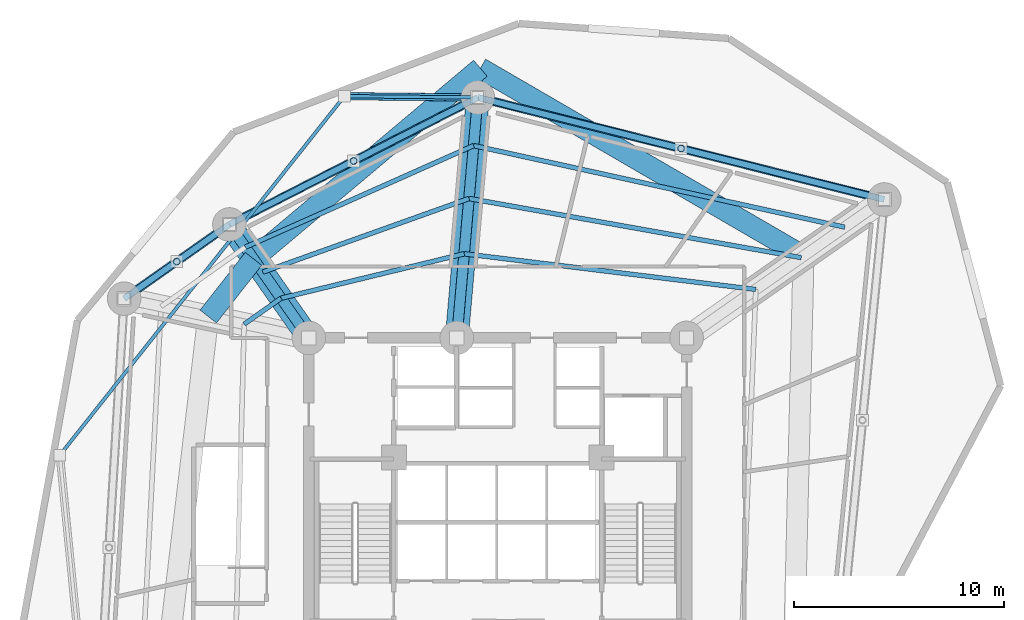
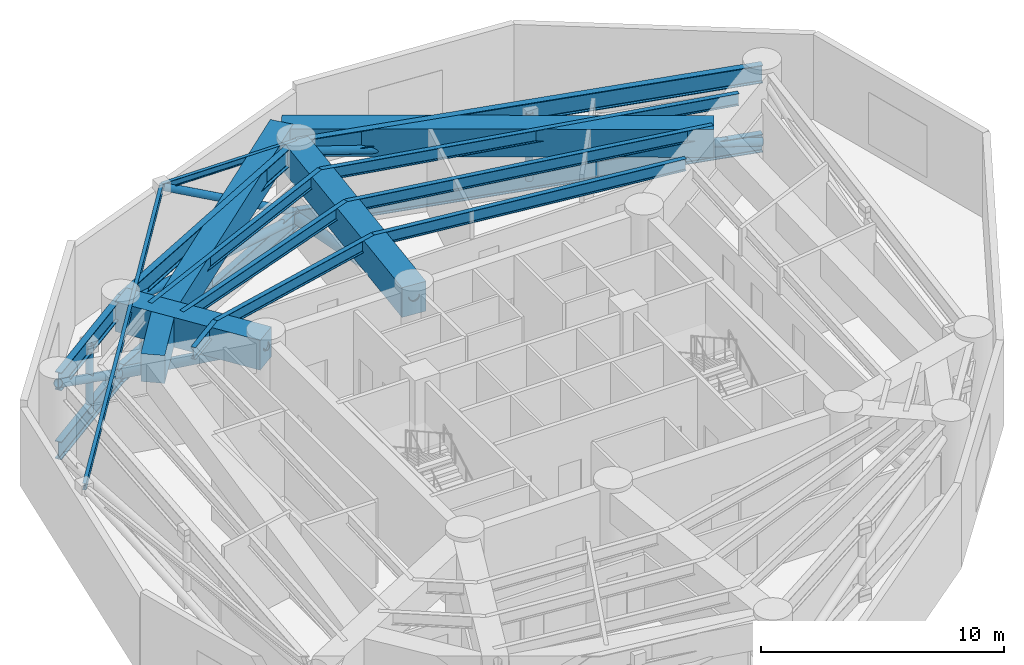
# One storey, part 5 of 13: 17 beams, 12 members.
"""IFC4 building model written with IfcOpenShell, lengths in metres."""

from ifc_helpers import new_model, si_unit, direction, frame, origin, origin_with_axes, origin_2d, place, context, subcontext, project, spatial, rectangle, hollow_circle, i_section, extrude, source, transform, mapped, material, material_profile, profile_set, type_object, element, save


model = new_model("IFC4")

# Units and contexts
model_context = context("Model", 3, precision=1e-05, world=origin(), true_north=direction((0.0, 1.0)))
body_context = subcontext(model_context, "Body", "Model", "MODEL_VIEW")
ifc_project = project(units=[si_unit("LENGTHUNIT", "METRE"), si_unit("AREAUNIT", "SQUARE_METRE"), si_unit("VOLUMEUNIT", "CUBIC_METRE"), si_unit("PLANEANGLEUNIT", "RADIAN"), si_unit("MASSUNIT", "GRAM", prefix="KILO")], contexts=[model_context])

# Site, building, storey
site_placement = place(None, origin())
site = spatial("IfcSite", under=ifc_project, at=site_placement, CompositionType="ELEMENT")
building_placement = place(site_placement, origin())
building = spatial("IfcBuilding", under=site, at=building_placement, Name="Karkom Vertical University and Central Library", CompositionType="ELEMENT")
storey_placement = place(building_placement, frame((0.0, 0.0, 87.699951171875)))
storey = spatial("IfcBuildingStorey", under=building, at=storey_placement, Name="P23", CompositionType="ELEMENT", Elevation=87.699951171875)

# Beams
ifc_material_1 = material(Name="Concrete C50/60", Category="concrete")
ifc_material_profile_1 = material_profile(ifc_material_1, rectangle(XDim=1.10009765625, YDim=1.5, at=origin_2d()), Name="TG-1100x1500")
ifc_profile_set_1 = profile_set([ifc_material_profile_1], Name="Concrete C50/60")
beam_type_1 = type_object("IfcBeamType", Name="STR-BM-TG-1", PredefinedType="USERDEFINED", material=ifc_profile_set_1)
shared_shape_1 = source(origin_with_axes(), body_context, "Body", "SweptSolid", [
    extrude(rectangle(XDim=1.10009765625, YDim=1.5, at=origin_2d()), origin(), (0.0, 0.0, 1.0), 11.499755859375),
])
beam_1_placement = place(storey_placement, frame((26.550048828125, 34.699951171875, 3.525146484375), z_axis=(0.087127973109, 0.99619712723, 0.0), x_axis=(-0.99619712723, 0.087127973109, 0.0)))
element("IfcBeam", 1, at=beam_1_placement, inside=storey, type_object=beam_type_1, Name="Plant Level 23 Radial Frame Girder 03", ObjectType="GIRDER", PredefinedType="USERDEFINED", context=body_context, shape_type="MappedRepresentation", body=[
    mapped(shared_shape_1, transform((0.0, 0.0, 0.0), scale=1.0)),
])
shared_shape_2 = source(origin_with_axes(), body_context, "Body", "SweptSolid", [
    extrude(rectangle(XDim=1.10009765625, YDim=1.5, at=origin_2d()), origin(), (0.0, 0.0, 1.0), 6.599853515625),
])
beam_2_placement = place(storey_placement, frame((19.5, 34.699951171875, 3.525146484375), z_axis=(-0.573633636671, 0.819111989218, 0.0), x_axis=(-0.819111989218, -0.573633636671, 0.0)))
element("IfcBeam", 2, at=beam_2_placement, inside=storey, type_object=beam_type_1, Name="Plant Level 23 Radial Frame Girder 04", ObjectType="GIRDER", PredefinedType="USERDEFINED", context=body_context, shape_type="MappedRepresentation", body=[
    mapped(shared_shape_2, transform((0.0, 0.0, 0.0), scale=1.0)),
])
ifc_material_2 = material(Name="Steel S355", Category="steel")
ifc_material_profile_2 = material_profile(ifc_material_2, i_section(OverallWidth=0.219970703125, OverallDepth=0.60009765625, WebThickness=0.011962890625, FlangeThickness=0.01904296875, FilletRadius=0.02392578125, at=origin_2d()), Name="IPE 600")
ifc_profile_set_2 = profile_set([ifc_material_profile_2], Name="Steel S355")
beam_type_2 = type_object("IfcBeamType", Name="STR-BM-SB-IPE600", PredefinedType="BEAM", material=ifc_profile_set_2)
shared_shape_3 = source(origin_with_axes(), body_context, "Body", "SweptSolid", [
    extrude(i_section(OverallWidth=0.219970703125, OverallDepth=0.60009765625, WebThickness=0.011962890625, FlangeThickness=0.01904296875, FilletRadius=0.02392578125, at=origin_2d()), origin(), (0.0, 0.0, 1.0), 14.000244140625),
])
beam_3_placement = place(storey_placement, frame((40.797119140625, 37.008544921875, 3.97509765625), z_axis=(-0.992590166403, 0.121510335198, 0.0), x_axis=(-0.121510335198, -0.992590166403, 0.0)))
element("IfcBeam", 3, at=beam_3_placement, inside=storey, type_object=beam_type_2, Name="Plant Level 23 Secondary Composite Floor Beam 1.02", PredefinedType="BEAM", context=body_context, shape_type="MappedRepresentation", body=[
    mapped(shared_shape_3, transform((0.0, 0.0, 0.0), scale=1.0)),
])
shared_shape_4 = source(origin_with_axes(), body_context, "Body", "SweptSolid", [
    extrude(i_section(OverallWidth=0.219970703125, OverallDepth=0.60009765625, WebThickness=0.011962890625, FlangeThickness=0.01904296875, FilletRadius=0.02392578125, at=origin_2d()), origin(), (0.0, 0.0, 1.0), 8.97900390625),
])
beam_4_placement = place(storey_placement, frame((26.900634765625, 38.709716796875, 3.97509765625), z_axis=(-0.971790837509, -0.235844372697, 0.0), x_axis=(0.235844372697, -0.971790837509, 0.0)))
element("IfcBeam", 4, at=beam_4_placement, inside=storey, type_object=beam_type_2, Name="Plant Level 23 Secondary Composite Floor Beam 1.03", PredefinedType="BEAM", context=body_context, shape_type="MappedRepresentation", body=[
    mapped(shared_shape_4, transform((0.0, 0.0, 0.0), scale=1.0)),
])
shared_shape_5 = source(origin_with_axes(), body_context, "Body", "SweptSolid", [
    extrude(i_section(OverallWidth=0.219970703125, OverallDepth=0.60009765625, WebThickness=0.011962890625, FlangeThickness=0.01904296875, FilletRadius=0.02392578125, at=origin_2d()), origin(), (0.0, 0.0, 1.0), 2.14794921875),
])
beam_5_placement = place(storey_placement, frame((18.1748046875, 36.592041015625, 3.97509765625), z_axis=(-0.817433780971, -0.576022580918, 0.0), x_axis=(0.576022580918, -0.817433780971, 0.0)))
element("IfcBeam", 5, at=beam_5_placement, inside=storey, type_object=beam_type_2, Name="Plant Level 23 Secondary Composite Floor Beam 1.04", PredefinedType="BEAM", context=body_context, shape_type="MappedRepresentation", body=[
    mapped(shared_shape_5, transform((0.0, 0.0, 0.0), scale=1.0)),
])
shared_shape_6 = source(origin_with_axes(), body_context, "Body", "SweptSolid", [
    extrude(i_section(OverallWidth=0.219970703125, OverallDepth=0.60009765625, WebThickness=0.011962890625, FlangeThickness=0.01904296875, FilletRadius=0.02392578125, at=origin_2d()), origin(), (0.0, 0.0, 1.0), 16.08154296875),
])
beam_6_placement = place(storey_placement, frame((42.963623046875, 38.525634765625, 3.97509765625), z_axis=(-0.984517708807, 0.175285142111, 0.0), x_axis=(-0.175285142111, -0.984517708807, 0.0)))
element("IfcBeam", 6, at=beam_6_placement, inside=storey, type_object=beam_type_2, Name="Plant Level 23 Secondary Composite Floor Beam 2.02", PredefinedType="BEAM", context=body_context, shape_type="MappedRepresentation", body=[
    mapped(shared_shape_6, transform((0.0, 0.0, 0.0), scale=1.0)),
])
shared_shape_7 = source(origin_with_axes(), body_context, "Body", "SweptSolid", [
    extrude(i_section(OverallWidth=0.219970703125, OverallDepth=0.60009765625, WebThickness=0.011962890625, FlangeThickness=0.01904296875, FilletRadius=0.02392578125, at=origin_2d()), origin(), (0.0, 0.0, 1.0), 10.4345703125),
])
beam_7_placement = place(storey_placement, frame((27.131103515625, 41.344482421875, 3.97509765625), z_axis=(-0.941759378798, -0.336287484819, 0.0), x_axis=(0.336287484819, -0.941759378798, 0.0)))
element("IfcBeam", 7, at=beam_7_placement, inside=storey, type_object=beam_type_2, Name="Plant Level 23 Secondary Composite Floor Beam 2.03", PredefinedType="BEAM", context=body_context, shape_type="MappedRepresentation", body=[
    mapped(shared_shape_7, transform((0.0, 0.0, 0.0), scale=1.0)),
])
shared_shape_8 = source(origin_with_axes(), body_context, "Body", "SweptSolid", [
    extrude(i_section(OverallWidth=0.219970703125, OverallDepth=0.60009765625, WebThickness=0.011962890625, FlangeThickness=0.01904296875, FilletRadius=0.02392578125, at=origin_2d()), origin(), (0.0, 0.0, 1.0), 18.106689453125),
])
beam_8_placement = place(storey_placement, frame((45.035888671875, 39.976806640625, 3.97509765625), z_axis=(-0.976674731786, 0.214724167926, 0.0), x_axis=(-0.214724167926, -0.976674731786, 0.0)))
element("IfcBeam", 8, at=beam_8_placement, inside=storey, type_object=beam_type_2, Name="Plant Level 23 Secondary Composite Floor Beam 3.02", PredefinedType="BEAM", context=body_context, shape_type="MappedRepresentation", body=[
    mapped(shared_shape_8, transform((0.0, 0.0, 0.0), scale=1.0)),
])
shared_shape_9 = source(origin_with_axes(), body_context, "Body", "SweptSolid", [
    extrude(i_section(OverallWidth=0.219970703125, OverallDepth=0.60009765625, WebThickness=0.011962890625, FlangeThickness=0.01904296875, FilletRadius=0.02392578125, at=origin_2d()), origin(), (0.0, 0.0, 1.0), 11.908203125),
])
beam_9_placement = place(storey_placement, frame((27.3515625, 43.86474609375, 3.97509765625), z_axis=(-0.913682996781, -0.406427584441, 0.0), x_axis=(0.406427584441, -0.913682996781, 0.0)))
element("IfcBeam", 9, at=beam_9_placement, inside=storey, type_object=beam_type_2, Name="Plant Level 23 Secondary Composite Floor Beam 3.03", PredefinedType="BEAM", context=body_context, shape_type="MappedRepresentation", body=[
    mapped(shared_shape_9, transform((0.0, 0.0, 0.0), scale=1.0)),
])
ifc_material_3 = material(Name="Steel S460", Category="steel")
ifc_material_profile_3 = material_profile(ifc_material_3, i_section(OverallWidth=0.300048828125, OverallDepth=0.89990234375, WebThickness=0.0185546875, FlangeThickness=0.034912109375, FilletRadius=0.030029296875, at=origin_2d()), Name="HE 900 B")
ifc_profile_set_3 = profile_set([ifc_material_profile_3], Name="Steel S460")
beam_type_3 = type_object("IfcBeamType", Name="STR-BM-SB-HE900", PredefinedType="USERDEFINED", material=ifc_profile_set_3)
shared_shape_10 = source(origin_with_axes(), body_context, "Body", "SweptSolid", [
    extrude(i_section(OverallWidth=0.300048828125, OverallDepth=0.89990234375, WebThickness=0.0185546875, FlangeThickness=0.034912109375, FilletRadius=0.030029296875, at=origin_2d()), origin(), (0.0, 0.0, 1.0), 19.968505859375),
])
beam_10_placement = place(storey_placement, frame((46.919921875, 41.2958984375, 3.824951171875), z_axis=(-0.969928522391, 0.243389937039, 0.0), x_axis=(-0.243389937039, -0.969928522391, 0.0)))
element("IfcBeam", 10, at=beam_10_placement, inside=storey, type_object=beam_type_3, Name="Plant Level 23 Perimeter Spandrel Beam 02", ObjectType="GIRDER", PredefinedType="USERDEFINED", context=body_context, shape_type="MappedRepresentation", body=[
    mapped(shared_shape_10, transform((0.0, 0.0, 0.0), scale=1.0)),
])
shared_shape_11 = source(origin_with_axes(), body_context, "Body", "SweptSolid", [
    extrude(i_section(OverallWidth=0.300048828125, OverallDepth=0.89990234375, WebThickness=0.0185546875, FlangeThickness=0.034912109375, FilletRadius=0.030029296875, at=origin_2d()), origin(), (0.0, 0.0, 1.0), 13.29443359375),
])
beam_11_placement = place(storey_placement, frame((27.552001953125, 46.156005859375, 3.824951171875), z_axis=(-0.890447746793, -0.455085497716, 0.0), x_axis=(0.455085497716, -0.890447746793, 0.0)))
element("IfcBeam", 11, at=beam_11_placement, inside=storey, type_object=beam_type_3, Name="Plant Level 23 Perimeter Spandrel Beam 03", ObjectType="GIRDER", PredefinedType="USERDEFINED", context=body_context, shape_type="MappedRepresentation", body=[
    mapped(shared_shape_11, transform((0.0, 0.0, 0.0), scale=1.0)),
])
shared_shape_12 = source(origin_with_axes(), body_context, "Body", "SweptSolid", [
    extrude(i_section(OverallWidth=0.300048828125, OverallDepth=0.89990234375, WebThickness=0.0185546875, FlangeThickness=0.034912109375, FilletRadius=0.030029296875, at=origin_2d()), origin(), (0.0, 0.0, 1.0), 6.13720703125),
])
beam_12_placement = place(storey_placement, frame((15.714111328125, 40.10595703125, 3.824951171875), z_axis=(-0.817471365538, -0.575969240955, 0.0), x_axis=(0.575969240955, -0.817471365538, 0.0)))
element("IfcBeam", 12, at=beam_12_placement, inside=storey, type_object=beam_type_3, Name="Plant Level 23 Perimeter Spandrel Beam 04", ObjectType="GIRDER", PredefinedType="USERDEFINED", context=body_context, shape_type="MappedRepresentation", body=[
    mapped(shared_shape_12, transform((0.0, 0.0, 0.0), scale=1.0)),
])
ifc_material_profile_4 = material_profile(ifc_material_1, rectangle(XDim=1.0, YDim=1.39990234375, at=origin_2d()), Name="TG-1000x1400")
ifc_profile_set_4 = profile_set([ifc_material_profile_4], Name="Concrete C50/60")
beam_type_4 = type_object("IfcBeamType", Name="STR-BM-TG-2", PredefinedType="USERDEFINED", material=ifc_profile_set_4)
shared_shape_13 = source(origin_with_axes(), body_context, "Body", "SweptSolid", [
    extrude(rectangle(XDim=1.0, YDim=1.39990234375, at=origin_2d()), origin(), (0.0, 0.0, 1.0), 17.808837890625),
])
beam_13_placement = place(storey_placement, frame((43.070068359375, 38.60009765625, 3.574951171875), z_axis=(-0.864512866362, 0.502610688202, 0.0), x_axis=(-0.502610688202, -0.864512866362, 0.0)))
element("IfcBeam", 13, at=beam_13_placement, inside=storey, type_object=beam_type_4, Name="Plant Level 23 Upper Column Transfer Ring 02", ObjectType="GIRDER", PredefinedType="USERDEFINED", context=body_context, shape_type="MappedRepresentation", body=[
    mapped(shared_shape_13, transform((0.0, 0.0, 0.0), scale=1.0)),
])
shared_shape_14 = source(origin_with_axes(), body_context, "Body", "SweptSolid", [
    extrude(rectangle(XDim=1.0, YDim=1.39990234375, at=origin_2d()), origin(), (0.0, 0.0, 1.0), 14.120849609375),
])
beam_14_placement = place(storey_placement, frame((27.674072265625, 47.551025390625, 3.574951171875), z_axis=(-0.765672847866, -0.643230199883, 0.0), x_axis=(0.643230199883, -0.765672847866, 0.0)))
element("IfcBeam", 14, at=beam_14_placement, inside=storey, type_object=beam_type_4, Name="Plant Level 23 Upper Column Transfer Ring 03", ObjectType="GIRDER", PredefinedType="USERDEFINED", context=body_context, shape_type="MappedRepresentation", body=[
    mapped(shared_shape_14, transform((0.0, 0.0, 0.0), scale=1.0)),
])
shared_shape_15 = source(origin_with_axes(), body_context, "Body", "SweptSolid", [
    extrude(rectangle(XDim=1.0, YDim=1.39990234375, at=origin_2d()), origin(), (0.0, 0.0, 1.0), 3.492919921875),
])
beam_15_placement = place(storey_placement, frame((16.862060546875, 38.468017578125, 3.574951171875), z_axis=(-0.616950700538, -0.787001799938, 0.0), x_axis=(0.787001799938, -0.616950700538, 0.0)))
element("IfcBeam", 15, at=beam_15_placement, inside=storey, type_object=beam_type_4, Name="Plant Level 23 Upper Column Transfer Ring 04", ObjectType="GIRDER", PredefinedType="USERDEFINED", context=body_context, shape_type="MappedRepresentation", body=[
    mapped(shared_shape_15, transform((0.0, 0.0, 0.0), scale=1.0)),
])
ifc_material_profile_5 = material_profile(ifc_material_2, i_section(OverallWidth=0.159912109375, OverallDepth=0.330078125, WebThickness=0.007568359375, FlangeThickness=0.011474609375, FilletRadius=0.01806640625, at=origin_2d()), Name="IPE 330")
ifc_profile_set_5 = profile_set([ifc_material_profile_5], Name="Steel S355")
beam_type_5 = type_object("IfcBeamType", Name="STR-BM-SB-IPE330", PredefinedType="BEAM", material=ifc_profile_set_5)
shared_shape_16 = source(origin_with_axes(), body_context, "Body", "SweptSolid", [
    extrude(i_section(OverallWidth=0.159912109375, OverallDepth=0.330078125, WebThickness=0.007568359375, FlangeThickness=0.011474609375, FilletRadius=0.01806640625, at=origin_2d()), origin(), (0.0, 0.0, 1.0), 6.358642578125),
])
beam_16_placement = place(storey_placement, frame((27.552001953125, 46.156005859375, 4.110107421875), z_axis=(-0.999950936099, 0.009905826352, 0.0), x_axis=(-0.009905826352, -0.999950936099, 0.0)))
element("IfcBeam", 16, at=beam_16_placement, inside=storey, type_object=beam_type_5, Name="Plant Level 23 Sky Garden Outrigger Support Beam 1", PredefinedType="BEAM", context=body_context, shape_type="MappedRepresentation", body=[
    mapped(shared_shape_16, transform((0.0, 0.0, 0.0), scale=1.0)),
])

# Member
ifc_material_profile_6 = material_profile(ifc_material_2, hollow_circle(Radius=0.177734375, WallThickness=0.01611328125, at=origin_2d()), Name="CHS 355.6x16")
ifc_profile_set_6 = profile_set([ifc_material_profile_6], Name="Steel S355")
member_type_1 = type_object("IfcMemberType", Name="STR-MEM-BR-3", PredefinedType="BRACE", material=ifc_profile_set_6)
shared_shape_17 = source(origin_with_axes(), body_context, "Body", "SweptSolid", [
    extrude(hollow_circle(Radius=0.177734375, WallThickness=0.01611328125, at=origin_2d()), origin(), (0.0, 0.0, 1.0), 7.248779296875),
])
member_1_placement = place(storey_placement, frame((27.552001953125, 46.156005859375, 0.630126953125), z_axis=(-0.877179342249, 0.00868961259, 0.480084255276), x_axis=(-0.009905826352, -0.999950936099, 0.0)))
element("IfcMember", 17, at=member_1_placement, inside=storey, type_object=member_type_1, Name="Plant Level 23 Sky Garden Knee Strut Brace 1", PredefinedType="BRACE", context=body_context, shape_type="MappedRepresentation", body=[
    mapped(shared_shape_17, transform((0.0, 0.0, 0.0), scale=1.0)),
])

# Beam
shared_shape_18 = source(origin_with_axes(), body_context, "Body", "SweptSolid", [
    extrude(i_section(OverallWidth=0.159912109375, OverallDepth=0.330078125, WebThickness=0.007568359375, FlangeThickness=0.011474609375, FilletRadius=0.01806640625, at=origin_2d()), origin(), (0.0, 0.0, 1.0), 21.830322265625),
])
beam_17_placement = place(storey_placement, frame((21.193603515625, 46.218994140625, 4.110107421875), z_axis=(-0.621143980553, -0.783696468936, 0.0), x_axis=(0.783696468936, -0.621143980553, 0.0)))
element("IfcBeam", 18, at=beam_17_placement, inside=storey, type_object=beam_type_5, Name="Plant Level 23 Sky Garden Perimeter Edge Beam", PredefinedType="BEAM", context=body_context, shape_type="MappedRepresentation", body=[
    mapped(shared_shape_18, transform((0.0, 0.0, 0.0), scale=1.0)),
])

# Members
ifc_material_profile_7 = material_profile(ifc_material_2, hollow_circle(Radius=0.161865234375, WallThickness=0.01611328125, at=origin_2d()), Name="CHS 323.9x16")
ifc_profile_set_7 = profile_set([ifc_material_profile_7], Name="Steel S355")
member_type_2 = type_object("IfcMemberType", Name="STR-MEM-PT-1", PredefinedType="POST", material=ifc_profile_set_7)
shared_shape_19 = source(origin_with_axes(), body_context, "Body", "SweptSolid", [
    extrude(hollow_circle(Radius=0.161865234375, WallThickness=0.01611328125, at=origin_2d()), origin(), (0.0, 0.0, 1.0), 3.375),
])
for number, where, z_axis, x_axis, name in (
    (19, (37.236083984375, 43.72607421875, 0.35009765625), (0.0, 0.0, 1.0), (1.0, 0.0, 0.0), "Plant Level 23 Belt Truss Web Post 02"),
    (20, (21.633056640625, 43.131103515625, 0.35009765625), (0.0, 0.0, 1.0), (1.0, 0.0, 0.0), "Plant Level 23 Belt Truss Web Post 03"),
    (21, (13.20556640625, 38.33837890625, 0.35009765625), (0.0, 0.0, 1.0), (1.0, 0.0, 0.0), "Plant Level 23 Belt Truss Web Post 04"),
):
    element("IfcMember", number, at=place(storey_placement, frame(where, z_axis=z_axis, x_axis=x_axis)), inside=storey, type_object=member_type_2, Name=name, PredefinedType="POST", context=body_context, shape_type="MappedRepresentation", body=[
        mapped(shared_shape_19, transform((0.0, 0.0, 0.0), scale=1.0)),
    ])
ifc_material_profile_8 = material_profile(ifc_material_2, hollow_circle(Radius=0.203125, WallThickness=0.02001953125, at=origin_2d()), Name="CHS 406.4x20")
ifc_profile_set_8 = profile_set([ifc_material_profile_8], Name="Steel S355")
member_type_3 = type_object("IfcMemberType", Name="STR-MEM-BR-2", PredefinedType="BRACE", material=ifc_profile_set_8)
shared_shape_20 = source(origin_with_axes(), body_context, "Body", "SweptSolid", [
    extrude(hollow_circle(Radius=0.203125, WallThickness=0.02001953125, at=origin_2d()), origin(), (0.0, 0.0, 1.0), 20.251708984375),
])
member_2_placement = place(storey_placement, frame((46.919921875, 41.2958984375, 0.35009765625), z_axis=(-0.956364588736, 0.239986258436, 0.166653440328), x_axis=(-0.243389937039, -0.969928522391, 0.0)))
element("IfcMember", 22, at=member_2_placement, inside=storey, type_object=member_type_3, Name="Plant Level 23 Belt Truss Diagonal Brace 02", PredefinedType="BRACE", context=body_context, shape_type="MappedRepresentation", body=[
    mapped(shared_shape_20, transform((0.0, 0.0, 0.0), scale=1.0)),
])
ifc_material_profile_9 = material_profile(ifc_material_3, i_section(OverallWidth=0.300048828125, OverallDepth=0.89990234375, WebThickness=0.0185546875, FlangeThickness=0.034912109375, FilletRadius=0.030029296875, at=origin_2d()), Name="HE 900 B")
ifc_profile_set_9 = profile_set([ifc_material_profile_9], Name="Steel S460")
member_type_4 = type_object("IfcMemberType", Name="STR-MEM-CH-1", PredefinedType="CHORD", material=ifc_profile_set_9)
shared_shape_21 = source(origin_with_axes(), body_context, "Body", "SweptSolid", [
    extrude(i_section(OverallWidth=0.300048828125, OverallDepth=0.89990234375, WebThickness=0.0185546875, FlangeThickness=0.034912109375, FilletRadius=0.030029296875, at=origin_2d()), origin(), (0.0, 0.0, 1.0), 19.968505859375),
])
member_3_placement = place(storey_placement, frame((46.919921875, 41.2958984375, 0.35009765625), z_axis=(-0.969928522391, 0.243389937039, 0.0), x_axis=(-0.243389937039, -0.969928522391, 0.0)))
element("IfcMember", 23, at=member_3_placement, inside=storey, type_object=member_type_4, Name="Plant Level 23 Belt Truss Bottom Chord 02", PredefinedType="CHORD", context=body_context, shape_type="MappedRepresentation", body=[
    mapped(shared_shape_21, transform((0.0, 0.0, 0.0), scale=1.0)),
])
shared_shape_22 = source(origin_with_axes(), body_context, "Body", "SweptSolid", [
    extrude(hollow_circle(Radius=0.203125, WallThickness=0.02001953125, at=origin_2d()), origin(), (0.0, 0.0, 1.0), 13.716064453125),
])
member_4_placement = place(storey_placement, frame((27.552001953125, 46.156005859375, 0.35009765625), z_axis=(-0.863070002368, -0.441093419582, 0.246062525011), x_axis=(0.455085497716, -0.890447746793, 0.0)))
element("IfcMember", 24, at=member_4_placement, inside=storey, type_object=member_type_3, Name="Plant Level 23 Belt Truss Diagonal Brace 03", PredefinedType="BRACE", context=body_context, shape_type="MappedRepresentation", body=[
    mapped(shared_shape_22, transform((0.0, 0.0, 0.0), scale=1.0)),
])
shared_shape_23 = source(origin_with_axes(), body_context, "Body", "SweptSolid", [
    extrude(i_section(OverallWidth=0.300048828125, OverallDepth=0.89990234375, WebThickness=0.0185546875, FlangeThickness=0.034912109375, FilletRadius=0.030029296875, at=origin_2d()), origin(), (0.0, 0.0, 1.0), 13.29443359375),
])
member_5_placement = place(storey_placement, frame((27.552001953125, 46.156005859375, 0.35009765625), z_axis=(-0.890447746793, -0.455085497716, 0.0), x_axis=(0.455085497716, -0.890447746793, 0.0)))
element("IfcMember", 25, at=member_5_placement, inside=storey, type_object=member_type_4, Name="Plant Level 23 Belt Truss Bottom Chord 03", PredefinedType="CHORD", context=body_context, shape_type="MappedRepresentation", body=[
    mapped(shared_shape_23, transform((0.0, 0.0, 0.0), scale=1.0)),
])
shared_shape_24 = source(origin_with_axes(), body_context, "Body", "SweptSolid", [
    extrude(hollow_circle(Radius=0.203125, WallThickness=0.02001953125, at=origin_2d()), origin(), (0.0, 0.0, 1.0), 7.004150390625),
])
member_6_placement = place(storey_placement, frame((15.714111328125, 40.10595703125, 0.35009765625), z_axis=(-0.716307552086, -0.504691827088, 0.48186061314), x_axis=(0.575969240955, -0.817471365538, 0.0)))
element("IfcMember", 26, at=member_6_placement, inside=storey, type_object=member_type_3, Name="Plant Level 23 Belt Truss Diagonal Brace 04", PredefinedType="BRACE", context=body_context, shape_type="MappedRepresentation", body=[
    mapped(shared_shape_24, transform((0.0, 0.0, 0.0), scale=1.0)),
])
shared_shape_25 = source(origin_with_axes(), body_context, "Body", "SweptSolid", [
    extrude(i_section(OverallWidth=0.300048828125, OverallDepth=0.89990234375, WebThickness=0.0185546875, FlangeThickness=0.034912109375, FilletRadius=0.030029296875, at=origin_2d()), origin(), (0.0, 0.0, 1.0), 6.13720703125),
])
member_7_placement = place(storey_placement, frame((15.714111328125, 40.10595703125, 0.35009765625), z_axis=(-0.817471365538, -0.575969240955, 0.0), x_axis=(0.575969240955, -0.817471365538, 0.0)))
element("IfcMember", 27, at=member_7_placement, inside=storey, type_object=member_type_4, Name="Plant Level 23 Belt Truss Bottom Chord 04", PredefinedType="CHORD", context=body_context, shape_type="MappedRepresentation", body=[
    mapped(shared_shape_25, transform((0.0, 0.0, 0.0), scale=1.0)),
])
ifc_material_profile_10 = material_profile(ifc_material_3, hollow_circle(Radius=0.25390625, WallThickness=0.02490234375, at=origin_2d()), Name="CHS 508x25")
ifc_profile_set_10 = profile_set([ifc_material_profile_10], Name="Steel S460")
member_type_5 = type_object("IfcMemberType", Name="STR-MEM-BR-1", PredefinedType="BRACE", material=ifc_profile_set_10)
shared_shape_26 = source(origin_with_axes(), body_context, "Body", "SweptSolid", [
    extrude(hollow_circle(Radius=0.25390625, WallThickness=0.02490234375, at=origin_2d()), origin(), (0.0, 0.0, 1.0), 11.98486328125),
])
member_8_placement = place(storey_placement, frame((26.550048828125, 34.699951171875, 3.72509765625), z_axis=(0.083601904326, 0.955881032799, -0.281606414573), x_axis=(-0.99619712723, 0.087127973109, 0.0)))
element("IfcMember", 28, at=member_8_placement, inside=storey, type_object=member_type_5, Name="Plant Level 23 Outrigger Truss Diagonal 03", PredefinedType="BRACE", context=body_context, shape_type="MappedRepresentation", body=[
    mapped(shared_shape_26, transform((0.0, 0.0, 0.0), scale=1.0)),
])
shared_shape_27 = source(origin_with_axes(), body_context, "Body", "SweptSolid", [
    extrude(hollow_circle(Radius=0.25390625, WallThickness=0.02490234375, at=origin_2d()), origin(), (0.0, 0.0, 1.0), 7.412841796875),
])
member_9_placement = place(storey_placement, frame((19.5, 34.699951171875, 3.72509765625), z_axis=(-0.510728399166, 0.729287350405, -0.45529821307), x_axis=(-0.819111989218, -0.573633636671, 0.0)))
element("IfcMember", 29, at=member_9_placement, inside=storey, type_object=member_type_5, Name="Plant Level 23 Outrigger Truss Diagonal 04", PredefinedType="BRACE", context=body_context, shape_type="MappedRepresentation", body=[
    mapped(shared_shape_27, transform((0.0, 0.0, 0.0), scale=1.0)),
])

save(model, "model.ifc")
